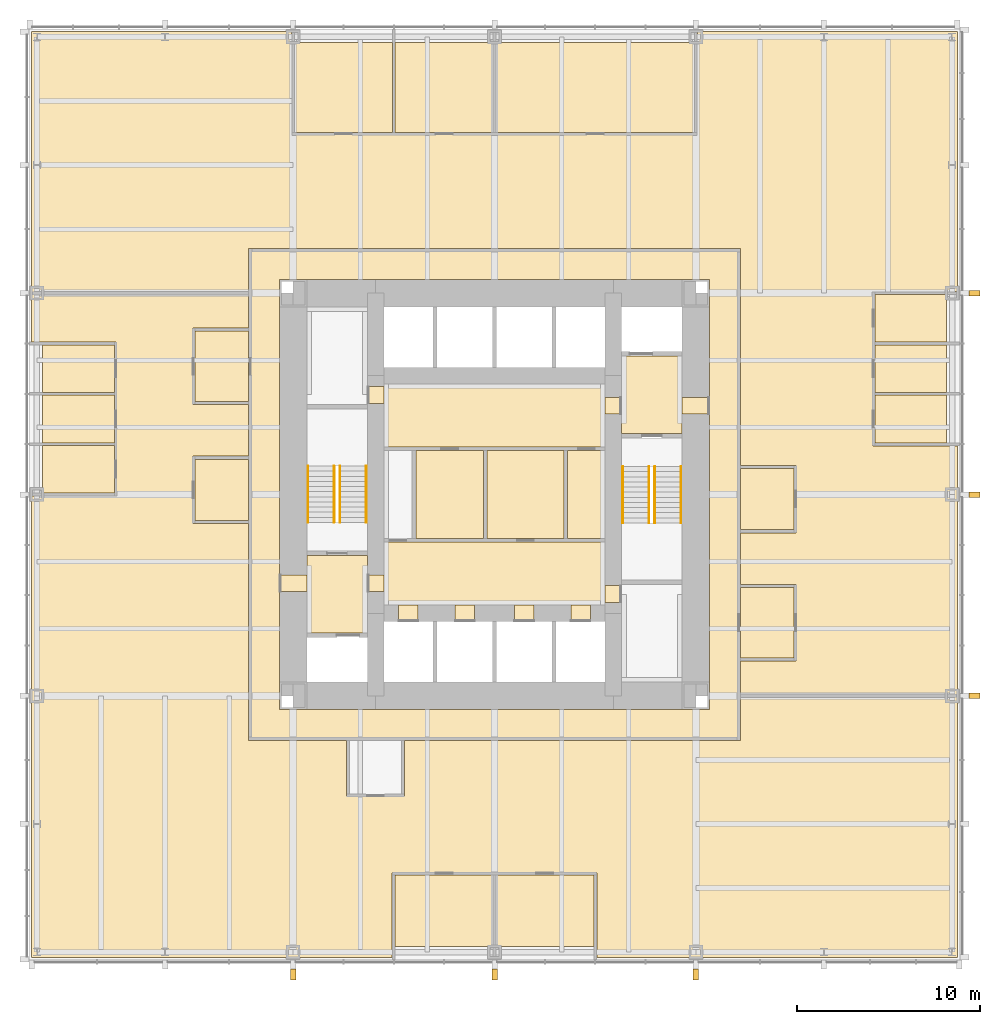
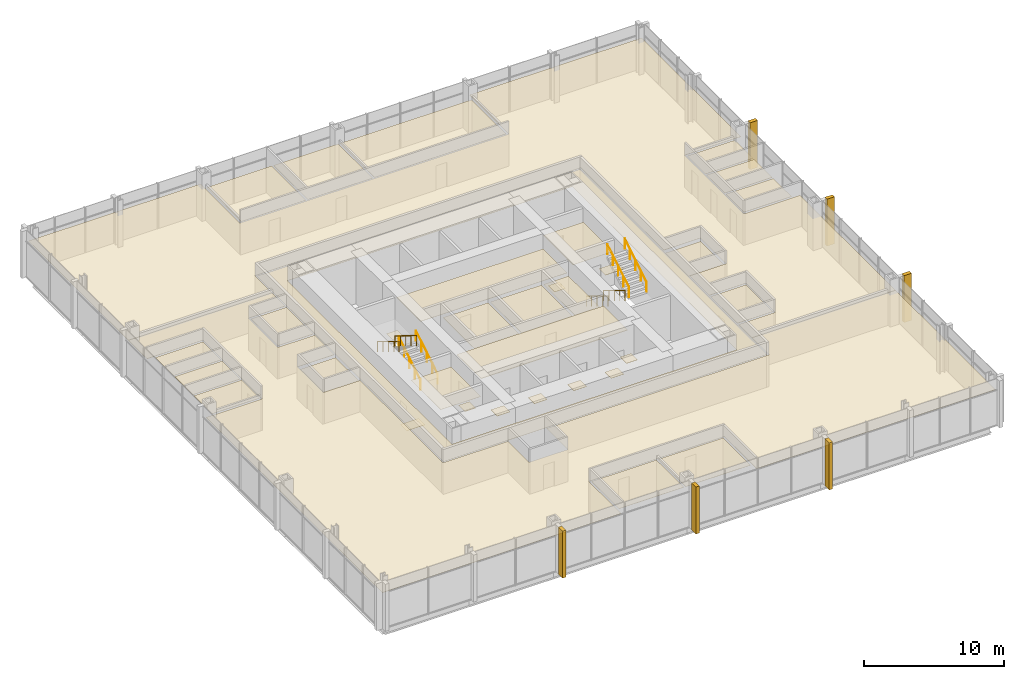
# One storey, part 12 of 12: 41 coverings, 8 railings.
"""IFC4 building model written with IfcOpenShell, lengths in metres."""

from ifc_helpers import new_model, si_unit, direction, frame, origin, origin_2d, place, context, subcontext, project, spatial, polyline, rectangle, circle, outline, extrude, material, layer, layer_set, type_object, element, save


model = new_model("IFC4")

# Units and contexts
model_context = context("Model", 3, precision=1e-05, world=origin(), true_north=direction((0.0, 1.0)))
body_context = subcontext(model_context, "Body", "Model", "MODEL_VIEW")
ifc_project = project(units=[si_unit("LENGTHUNIT", "METRE"), si_unit("AREAUNIT", "SQUARE_METRE"), si_unit("VOLUMEUNIT", "CUBIC_METRE"), si_unit("PLANEANGLEUNIT", "RADIAN"), si_unit("MASSUNIT", "GRAM", prefix="KILO")], contexts=[model_context])

# Site, building, storey
site_placement = place(None, origin())
site = spatial("IfcSite", under=ifc_project, at=site_placement, CompositionType="ELEMENT")
building_placement = place(site_placement, origin())
building = spatial("IfcBuilding", under=site, at=building_placement, Name="Trevanion Tower", CompositionType="ELEMENT")
storey_placement = place(building_placement, frame((0.0, 0.0, 61.10009765625)))
storey = spatial("IfcBuildingStorey", under=building, at=storey_placement, Name="L14", CompositionType="ELEMENT", Elevation=61.10009765625)

# Coverings
ifc_material_1 = material(Name="Fibrous plaster coffers on suspended steel grid", Category="steel")
ifc_layer_1 = layer(ifc_material_1, 0.050048828125)
ifc_layer_set_1 = layer_set([ifc_layer_1], Name="CL1 coffered fibrous plaster ceiling 50")
covering_type_1 = type_object("IfcCoveringType", Name="CL1 coffered fibrous plaster ceiling 50", PredefinedType="CEILING", material=ifc_layer_set_1)
covering_1_placement = place(storey_placement, frame((0.0, 0.0, 3.0)))
element("IfcCovering", 1, at=covering_1_placement, inside=storey, type_object=covering_type_1, Name="CL1 L14-LBS", PredefinedType="CEILING", context=body_context, shape_type="SweptSolid", body=[
    extrude(outline(polyline([(6.050048828125, -6.050048828125), (6.050048828125, -2.60009765625), (-6.050048828125, -2.60009765625), (-6.050048828125, -6.050048828125), (6.050048828125, -6.050048828125)])), origin(), (0.0, 0.0, 1.0), 0.0498046875),
])
ifc_material_2 = material(Name="Mineral fibre acoustic tiles in exposed grid", Category="mineral fibre")
ifc_layer_2 = layer(ifc_material_2, 0.02001953125)
ifc_layer_set_2 = layer_set([ifc_layer_2], Name="CL2 acoustic tile ceiling 20")
covering_type_2 = type_object("IfcCoveringType", Name="CL2 acoustic tile ceiling 20", PredefinedType="CEILING", material=ifc_layer_set_2)
covering_2_placement = place(storey_placement, frame((0.0, 0.0, 2.75)))
element("IfcCovering", 2, at=covering_2_placement, inside=storey, type_object=covering_type_2, Name="CL2 L14-LBN", PredefinedType="CEILING", context=body_context, shape_type="SweptSolid", body=[
    extrude(outline(polyline([(6.050048828125, 2.60009765625), (6.050048828125, 6.050048828125), (-6.050048828125, 6.050048828125), (-6.050048828125, 2.60009765625), (6.050048828125, 2.60009765625)])), origin(), (0.0, 0.0, 1.0), 0.02001953125),
])
covering_3_placement = place(storey_placement, frame((0.0, 0.0, 2.75)))
element("IfcCovering", 3, at=covering_3_placement, inside=storey, type_object=covering_type_2, Name="CL2 L14-CO", PredefinedType="CEILING", context=body_context, shape_type="SweptSolid", body=[
    extrude(outline(polyline([(-13.35009765625, 13.35009765625), (13.35009765625, 13.35009765625), (13.35009765625, -13.35009765625), (-13.35009765625, -13.35009765625), (-13.35009765625, 13.35009765625)]), holes=[polyline([(-11.75, 11.75), (-11.75, -11.75), (11.75, -11.75), (11.75, 11.75), (-11.75, 11.75)])]), origin(), (0.0, 0.0, 1.0), 0.02001953125),
])
covering_4_placement = place(storey_placement, frame((0.0, 0.0, 2.75)))
element("IfcCovering", 4, at=covering_4_placement, inside=storey, type_object=covering_type_2, Name="CL2 L14-BR", PredefinedType="CEILING", context=body_context, shape_type="SweptSolid", body=[
    extrude(outline(polyline([(10.925048828125, 19.77490234375), (0.074951171875, 19.77490234375), (0.074951171875, 24.699951171875), (10.925048828125, 24.699951171875), (10.925048828125, 19.77490234375)])), origin(), (0.0, 0.0, 1.0), 0.02001953125),
])
covering_5_placement = place(storey_placement, frame((0.0, 0.0, 2.75)))
element("IfcCovering", 5, at=covering_5_placement, inside=storey, type_object=covering_type_2, Name="CL2 L14-MR", PredefinedType="CEILING", context=body_context, shape_type="SweptSolid", body=[
    extrude(outline(polyline([(-0.074951171875, 19.77490234375), (-5.425048828125, 19.77490234375), (-5.425048828125, 24.699951171875), (-0.074951171875, 24.699951171875), (-0.074951171875, 19.77490234375)])), origin(), (0.0, 0.0, 1.0), 0.02001953125),
])
covering_6_placement = place(storey_placement, frame((0.0, 0.0, 2.75)))
element("IfcCovering", 6, at=covering_6_placement, inside=storey, type_object=covering_type_2, Name="CL2 L14-MR2", PredefinedType="CEILING", context=body_context, shape_type="SweptSolid", body=[
    extrude(outline(polyline([(-5.574951171875, 19.77490234375), (-10.925048828125, 19.77490234375), (-10.925048828125, 24.699951171875), (-5.574951171875, 24.699951171875), (-5.574951171875, 19.77490234375)])), origin(), (0.0, 0.0, 1.0), 0.02001953125),
])
covering_7_placement = place(storey_placement, frame((0.0, 0.0, 2.75)))
element("IfcCovering", 7, at=covering_7_placement, inside=storey, type_object=covering_type_2, Name="CL2 L14-MR3", PredefinedType="CEILING", context=body_context, shape_type="SweptSolid", body=[
    extrude(outline(polyline([(-5.425048828125, -20.77490234375), (-0.074951171875, -20.77490234375), (-0.074951171875, -24.699951171875), (-5.425048828125, -24.699951171875), (-5.425048828125, -20.77490234375)])), origin(), (0.0, 0.0, 1.0), 0.02001953125),
])
covering_8_placement = place(storey_placement, frame((0.0, 0.0, 2.75)))
element("IfcCovering", 8, at=covering_8_placement, inside=storey, type_object=covering_type_2, Name="CL2 L14-MR4", PredefinedType="CEILING", context=body_context, shape_type="SweptSolid", body=[
    extrude(outline(polyline([(0.074951171875, -20.77490234375), (5.425048828125, -20.77490234375), (5.425048828125, -24.699951171875), (0.074951171875, -24.699951171875), (0.074951171875, -20.77490234375)])), origin(), (0.0, 0.0, 1.0), 0.02001953125),
])
covering_9_placement = place(storey_placement, frame((0.0, 0.0, 2.75)))
element("IfcCovering", 9, at=covering_9_placement, inside=storey, type_object=covering_type_2, Name="CL2 L14-OF", PredefinedType="CEILING", context=body_context, shape_type="SweptSolid", body=[
    extrude(outline(polyline([(20.77490234375, 2.824951171875), (20.77490234375, 5.425048828125), (24.699951171875, 5.425048828125), (24.699951171875, 2.824951171875), (20.77490234375, 2.824951171875)])), origin(), (0.0, 0.0, 1.0), 0.02001953125),
])
covering_10_placement = place(storey_placement, frame((0.0, 0.0, 2.75)))
element("IfcCovering", 10, at=covering_10_placement, inside=storey, type_object=covering_type_2, Name="CL2 L14-OF2", PredefinedType="CEILING", context=body_context, shape_type="SweptSolid", body=[
    extrude(outline(polyline([(20.77490234375, 5.574951171875), (20.77490234375, 8.175048828125), (24.699951171875, 8.175048828125), (24.699951171875, 5.574951171875), (20.77490234375, 5.574951171875)])), origin(), (0.0, 0.0, 1.0), 0.02001953125),
])
covering_11_placement = place(storey_placement, frame((0.0, 0.0, 2.75)))
element("IfcCovering", 11, at=covering_11_placement, inside=storey, type_object=covering_type_2, Name="CL2 L14-OF3", PredefinedType="CEILING", context=body_context, shape_type="SweptSolid", body=[
    extrude(outline(polyline([(20.77490234375, 8.324951171875), (20.77490234375, 10.925048828125), (24.699951171875, 10.925048828125), (24.699951171875, 8.324951171875), (20.77490234375, 8.324951171875)])), origin(), (0.0, 0.0, 1.0), 0.02001953125),
])
covering_12_placement = place(storey_placement, frame((0.0, 0.0, 2.75)))
element("IfcCovering", 12, at=covering_12_placement, inside=storey, type_object=covering_type_2, Name="CL2 L14-OF4", PredefinedType="CEILING", context=body_context, shape_type="SweptSolid", body=[
    extrude(outline(polyline([(-20.77490234375, 8.175048828125), (-20.77490234375, 5.574951171875), (-24.699951171875, 5.574951171875), (-24.699951171875, 8.175048828125), (-20.77490234375, 8.175048828125)])), origin(), (0.0, 0.0, 1.0), 0.02001953125),
])
covering_13_placement = place(storey_placement, frame((0.0, 0.0, 2.75)))
element("IfcCovering", 13, at=covering_13_placement, inside=storey, type_object=covering_type_2, Name="CL2 L14-OF5", PredefinedType="CEILING", context=body_context, shape_type="SweptSolid", body=[
    extrude(outline(polyline([(-20.77490234375, 5.425048828125), (-20.77490234375, 2.824951171875), (-24.699951171875, 2.824951171875), (-24.699951171875, 5.425048828125), (-20.77490234375, 5.425048828125)])), origin(), (0.0, 0.0, 1.0), 0.02001953125),
])
covering_14_placement = place(storey_placement, frame((0.0, 0.0, 2.75)))
element("IfcCovering", 14, at=covering_14_placement, inside=storey, type_object=covering_type_2, Name="CL2 L14-OF6", PredefinedType="CEILING", context=body_context, shape_type="SweptSolid", body=[
    extrude(outline(polyline([(-20.77490234375, 2.675048828125), (-20.77490234375, 0.074951171875), (-24.699951171875, 0.074951171875), (-24.699951171875, 2.675048828125), (-20.77490234375, 2.675048828125)])), origin(), (0.0, 0.0, 1.0), 0.02001953125),
])
covering_15_placement = place(storey_placement, frame((0.0, 0.0, 2.75)))
element("IfcCovering", 15, at=covering_15_placement, inside=storey, type_object=covering_type_2, Name="CL2 L14-RC", PredefinedType="CEILING", context=body_context, shape_type="SweptSolid", body=[
    extrude(outline(polyline([(13.449951171875, -8.925048828125), (13.449951171875, -5.074951171875), (16.375, -5.074951171875), (16.375, -8.925048828125), (13.449951171875, -8.925048828125)])), origin(), (0.0, 0.0, 1.0), 0.02001953125),
])
covering_16_placement = place(storey_placement, frame((0.0, 0.0, 2.75)))
element("IfcCovering", 16, at=covering_16_placement, inside=storey, type_object=covering_type_2, Name="CL2 L14-RC2", PredefinedType="CEILING", context=body_context, shape_type="SweptSolid", body=[
    extrude(outline(polyline([(-13.449951171875, 8.925048828125), (-13.449951171875, 5.074951171875), (-16.375, 5.074951171875), (-16.375, 8.925048828125), (-13.449951171875, 8.925048828125)])), origin(), (0.0, 0.0, 1.0), 0.02001953125),
])
covering_17_placement = place(storey_placement, frame((0.0, 0.0, 2.75)))
element("IfcCovering", 17, at=covering_17_placement, inside=storey, type_object=covering_type_2, Name="CL2 L14-OP", PredefinedType="CEILING", context=body_context, shape_type="SweptSolid", body=[
    extrude(outline(polyline([(13.449951171875, 13.449951171875), (-13.449951171875, 13.449951171875), (-13.449951171875, 11.0), (-25.300048828125, 11.0), (-25.300048828125, 25.300048828125), (-11.094970703125, 25.300048828125), (-11.094970703125, 19.679931640625), (11.094970703125, 19.679931640625), (11.094970703125, 25.300048828125), (25.300048828125, 25.300048828125), (25.300048828125, 11.094970703125), (20.679931640625, 11.094970703125), (20.679931640625, 2.655029296875), (25.300048828125, 2.655029296875), (25.300048828125, -11.0), (13.449951171875, -11.0), (13.449951171875, -9.094970703125), (16.469970703125, -9.094970703125), (16.469970703125, -4.905029296875), (13.449951171875, -4.905029296875), (13.449951171875, -2.094970703125), (16.469970703125, -2.094970703125), (16.469970703125, 1.594970703125), (13.449951171875, 1.594970703125), (13.449951171875, 13.449951171875)])), origin(), (0.0, 0.0, 1.0), 0.02001953125),
])
covering_18_placement = place(storey_placement, frame((0.0, 0.0, 2.75)))
element("IfcCovering", 18, at=covering_18_placement, inside=storey, type_object=covering_type_2, Name="CL2 L14-OP2", PredefinedType="CEILING", context=body_context, shape_type="SweptSolid", body=[
    extrude(outline(polyline([(13.449951171875, -11.0), (25.300048828125, -11.0), (25.300048828125, -25.300048828125), (5.594970703125, -25.300048828125), (5.594970703125, -20.679931640625), (-5.594970703125, -20.679931640625), (-5.594970703125, -25.300048828125), (-25.300048828125, -25.300048828125), (-25.300048828125, -0.094970703125), (-20.679931640625, -0.094970703125), (-20.679931640625, 8.344970703125), (-25.300048828125, 8.344970703125), (-25.300048828125, 11.0), (-13.449951171875, 11.0), (-13.449951171875, 9.094970703125), (-16.469970703125, 9.094970703125), (-16.469970703125, 4.905029296875), (-13.449951171875, 4.905029296875), (-13.449951171875, 2.094970703125), (-16.469970703125, 2.094970703125), (-16.469970703125, -1.594970703125), (-13.449951171875, -1.594970703125), (-13.449951171875, -13.449951171875), (-8.094970703125, -13.449951171875), (-8.094970703125, -16.469970703125), (-4.905029296875, -16.469970703125), (-4.905029296875, -13.449951171875), (13.449951171875, -13.449951171875), (13.449951171875, -11.0)])), origin(), (0.0, 0.0, 1.0), 0.02001953125),
])
ifc_material_3 = material(Name="Gypsum plasterboard on suspended metal furring", Category="gypsum")
ifc_layer_3 = layer(ifc_material_3, 0.012939453125)
ifc_layer_set_3 = layer_set([ifc_layer_3], Name="CL3 plasterboard ceiling 13")
covering_type_3 = type_object("IfcCoveringType", Name="CL3 plasterboard ceiling 13", PredefinedType="CEILING", material=ifc_layer_set_3)
covering_19_placement = place(storey_placement, frame((0.0, 0.0, 2.699951171875)))
element("IfcCovering", 19, at=covering_19_placement, inside=storey, type_object=covering_type_3, Name="CL3 L14-FV1", PredefinedType="CEILING", context=body_context, shape_type="SweptSolid", body=[
    extrude(outline(polyline([(10.25, 3.324951171875), (10.25, 7.574951171875), (6.949951171875, 7.574951171875), (6.949951171875, 3.324951171875), (10.25, 3.324951171875)])), origin(), (0.0, 0.0, 1.0), 0.012939453125),
])
covering_20_placement = place(storey_placement, frame((0.0, 0.0, 2.699951171875)))
element("IfcCovering", 20, at=covering_20_placement, inside=storey, type_object=covering_type_3, Name="CL3 L14-FV2", PredefinedType="CEILING", context=body_context, shape_type="SweptSolid", body=[
    extrude(outline(polyline([(-10.25, -3.324951171875), (-10.25, -7.574951171875), (-6.949951171875, -7.574951171875), (-6.949951171875, -3.324951171875), (-10.25, -3.324951171875)])), origin(), (0.0, 0.0, 1.0), 0.012939453125),
])
ifc_material_4 = material(Name="Moisture-resistant gypsum board on suspended metal furring", Category="gypsum")
ifc_layer_4 = layer(ifc_material_4, 0.01611328125)
ifc_layer_set_4 = layer_set([ifc_layer_4], Name="CL4 moisture-resistant board ceiling 16")
covering_type_4 = type_object("IfcCoveringType", Name="CL4 moisture-resistant board ceiling 16", PredefinedType="CEILING", material=ifc_layer_set_4)
covering_21_placement = place(storey_placement, frame((0.0, 0.0, 2.599853515625)))
element("IfcCovering", 21, at=covering_21_placement, inside=storey, type_object=covering_type_4, Name="CL4 L14-WCM", PredefinedType="CEILING", context=body_context, shape_type="SweptSolid", body=[
    extrude(outline(polyline([(-0.60009765625, -2.39990234375), (-0.60009765625, 2.39990234375), (-4.300048828125, 2.39990234375), (-4.300048828125, -2.39990234375), (-0.60009765625, -2.39990234375)])), origin(), (0.0, 0.0, 1.0), 0.01611328125),
])
covering_22_placement = place(storey_placement, frame((0.0, 0.0, 2.599853515625)))
element("IfcCovering", 22, at=covering_22_placement, inside=storey, type_object=covering_type_4, Name="CL4 L14-WCF", PredefinedType="CEILING", context=body_context, shape_type="SweptSolid", body=[
    extrude(outline(polyline([(3.800048828125, -2.39990234375), (3.800048828125, 2.39990234375), (-0.39990234375, 2.39990234375), (-0.39990234375, -2.39990234375), (3.800048828125, -2.39990234375)])), origin(), (0.0, 0.0, 1.0), 0.01611328125),
])
covering_23_placement = place(storey_placement, frame((0.0, 0.0, 2.599853515625)))
element("IfcCovering", 23, at=covering_23_placement, inside=storey, type_object=covering_type_4, Name="CL4 L14-WCA", PredefinedType="CEILING", context=body_context, shape_type="SweptSolid", body=[
    extrude(outline(polyline([(6.050048828125, -2.39990234375), (6.050048828125, 2.39990234375), (4.0, 2.39990234375), (4.0, -2.39990234375), (6.050048828125, -2.39990234375)])), origin(), (0.0, 0.0, 1.0), 0.01611328125),
])
covering_24_placement = place(storey_placement, frame((0.0, 0.0, 2.599853515625)))
element("IfcCovering", 24, at=covering_24_placement, inside=storey, type_object=covering_type_4, Name="CL4 L14-PA", PredefinedType="CEILING", context=body_context, shape_type="SweptSolid", body=[
    extrude(outline(polyline([(13.449951171875, -1.925048828125), (13.449951171875, 1.425048828125), (16.375, 1.425048828125), (16.375, -1.925048828125), (13.449951171875, -1.925048828125)])), origin(), (0.0, 0.0, 1.0), 0.01611328125),
])
covering_25_placement = place(storey_placement, frame((0.0, 0.0, 2.599853515625)))
element("IfcCovering", 25, at=covering_25_placement, inside=storey, type_object=covering_type_4, Name="CL4 L14-PA2", PredefinedType="CEILING", context=body_context, shape_type="SweptSolid", body=[
    extrude(outline(polyline([(-13.449951171875, 1.925048828125), (-13.449951171875, -1.425048828125), (-16.375, -1.425048828125), (-16.375, 1.925048828125), (-13.449951171875, 1.925048828125)])), origin(), (0.0, 0.0, 1.0), 0.01611328125),
])
ifc_material_5 = material(Name="Cast bronze fin on aluminium carrier", Category="aluminium")
covering_type_5 = type_object("IfcCoveringType", Name="F1 bronze fin", PredefinedType="CLADDING", material=ifc_material_5)
for number, where, z_axis, x_axis, name in (
    (26, (26.22509765625, -11.0, -0.190185546875), (0.0, 0.0, 1.0), (0.0, 1.0, 0.0), "F1 L14 east -11.0"),
    (27, (26.22509765625, 0.0, -0.190185546875), (0.0, 0.0, 1.0), (0.0, 1.0, 0.0), "F1 L14 east +0.0"),
    (28, (26.22509765625, 11.0, -0.190185546875), (0.0, 0.0, 1.0), (0.0, 1.0, 0.0), "F1 L14 east +11.0"),
    (29, (-11.0, -26.22509765625, -0.190185546875), (0.0, 0.0, 1.0), (1.0, 0.0, 0.0), "F1 L14 south -11.0"),
    (30, (0.0, -26.22509765625, -0.190185546875), (0.0, 0.0, 1.0), (1.0, 0.0, 0.0), "F1 L14 south +0.0"),
    (31, (11.0, -26.22509765625, -0.190185546875), (0.0, 0.0, 1.0), (1.0, 0.0, 0.0), "F1 L14 south +11.0"),
):
    element("IfcCovering", number, at=place(storey_placement, frame(where, z_axis=z_axis, x_axis=x_axis)), inside=storey, type_object=covering_type_5, Name=name, PredefinedType="CLADDING", context=body_context, shape_type="SweptSolid", body=[
        extrude(rectangle(XDim=0.300048828125, YDim=0.60009765625, at=origin_2d()), origin(), (0.0, 0.0, 1.0), 4.10009765625),
    ])
ifc_material_6 = material(Name="Terrazzo, brass divider strips", Category="stone")
ifc_layer_5 = layer(ifc_material_6, 0.02001953125)
ifc_layer_set_5 = layer_set([ifc_layer_5], Name="FF1 terrazzo flooring")
covering_type_6 = type_object("IfcCoveringType", Name="FF1 terrazzo flooring", PredefinedType="FLOORING", material=ifc_layer_set_5)
covering_26_placement = place(storey_placement, origin())
element("IfcCovering", 32, at=covering_26_placement, inside=storey, type_object=covering_type_6, Name="FF1 threshold 14-001", PredefinedType="FLOORING", context=body_context, shape_type="SweptSolid", body=[
    extrude(outline(polyline([(11.75, 4.392578125), (11.75, 5.3076171875), (10.25, 5.3076171875), (10.25, 4.392578125), (11.75, 4.392578125)])), origin(), (0.0, 0.0, 1.0), 0.02001953125),
])
covering_27_placement = place(storey_placement, origin())
element("IfcCovering", 33, at=covering_27_placement, inside=storey, type_object=covering_type_6, Name="FF1 threshold 14-002", PredefinedType="FLOORING", context=body_context, shape_type="SweptSolid", body=[
    extrude(outline(polyline([(-11.75, -4.392578125), (-11.75, -5.3076171875), (-10.25, -5.3076171875), (-10.25, -4.392578125), (-11.75, -4.392578125)])), origin(), (0.0, 0.0, 1.0), 0.02001953125),
])
covering_28_placement = place(storey_placement, origin())
element("IfcCovering", 34, at=covering_28_placement, inside=storey, type_object=covering_type_6, Name="FF1 threshold 14-003", PredefinedType="FLOORING", context=body_context, shape_type="SweptSolid", body=[
    extrude(outline(polyline([(6.949951171875, 4.392578125), (6.949951171875, 5.3076171875), (6.050048828125, 5.3076171875), (6.050048828125, 4.392578125), (6.949951171875, 4.392578125)])), origin(), (0.0, 0.0, 1.0), 0.02001953125),
])
covering_29_placement = place(storey_placement, origin())
element("IfcCovering", 35, at=covering_29_placement, inside=storey, type_object=covering_type_6, Name="FF1 threshold 14-004", PredefinedType="FLOORING", context=body_context, shape_type="SweptSolid", body=[
    extrude(outline(polyline([(-6.949951171875, -4.392578125), (-6.949951171875, -5.3076171875), (-6.050048828125, -5.3076171875), (-6.050048828125, -4.392578125), (-6.949951171875, -4.392578125)])), origin(), (0.0, 0.0, 1.0), 0.02001953125),
])
covering_30_placement = place(storey_placement, origin())
element("IfcCovering", 36, at=covering_30_placement, inside=storey, type_object=covering_type_6, Name="FF1 threshold 14-009", PredefinedType="FLOORING", context=body_context, shape_type="SweptSolid", body=[
    extrude(outline(polyline([(6.949951171875, -5.889892578125), (6.949951171875, -4.97509765625), (6.050048828125, -4.97509765625), (6.050048828125, -5.889892578125), (6.949951171875, -5.889892578125)])), origin(), (0.0, 0.0, 1.0), 0.02001953125),
])
covering_31_placement = place(storey_placement, origin())
element("IfcCovering", 37, at=covering_31_placement, inside=storey, type_object=covering_type_6, Name="FF1 threshold 14-010", PredefinedType="FLOORING", context=body_context, shape_type="SweptSolid", body=[
    extrude(outline(polyline([(-6.949951171875, 5.889892578125), (-6.949951171875, 4.97509765625), (-6.050048828125, 4.97509765625), (-6.050048828125, 5.889892578125), (-6.949951171875, 5.889892578125)])), origin(), (0.0, 0.0, 1.0), 0.02001953125),
])
covering_32_placement = place(storey_placement, origin())
element("IfcCovering", 38, at=covering_32_placement, inside=storey, type_object=covering_type_6, Name="FF1 threshold 14-011", PredefinedType="FLOORING", context=body_context, shape_type="SweptSolid", body=[
    extrude(outline(polyline([(-5.2333984375, -6.949951171875), (-4.16650390625, -6.949951171875), (-4.16650390625, -6.050048828125), (-5.2333984375, -6.050048828125), (-5.2333984375, -6.949951171875)])), origin(), (0.0, 0.0, 1.0), 0.02001953125),
])
covering_33_placement = place(storey_placement, origin())
element("IfcCovering", 39, at=covering_33_placement, inside=storey, type_object=covering_type_6, Name="FF1 threshold 14-012", PredefinedType="FLOORING", context=body_context, shape_type="SweptSolid", body=[
    extrude(outline(polyline([(-2.158447265625, -6.949951171875), (-1.091552734375, -6.949951171875), (-1.091552734375, -6.050048828125), (-2.158447265625, -6.050048828125), (-2.158447265625, -6.949951171875)])), origin(), (0.0, 0.0, 1.0), 0.02001953125),
])
covering_34_placement = place(storey_placement, origin())
element("IfcCovering", 40, at=covering_34_placement, inside=storey, type_object=covering_type_6, Name="FF1 threshold 14-013", PredefinedType="FLOORING", context=body_context, shape_type="SweptSolid", body=[
    extrude(outline(polyline([(1.091552734375, -6.949951171875), (2.158447265625, -6.949951171875), (2.158447265625, -6.050048828125), (1.091552734375, -6.050048828125), (1.091552734375, -6.949951171875)])), origin(), (0.0, 0.0, 1.0), 0.02001953125),
])
covering_35_placement = place(storey_placement, origin())
element("IfcCovering", 41, at=covering_35_placement, inside=storey, type_object=covering_type_6, Name="FF1 threshold 14-014", PredefinedType="FLOORING", context=body_context, shape_type="SweptSolid", body=[
    extrude(outline(polyline([(4.16650390625, -6.949951171875), (5.2333984375, -6.949951171875), (5.2333984375, -6.050048828125), (4.16650390625, -6.050048828125), (4.16650390625, -6.949951171875)])), origin(), (0.0, 0.0, 1.0), 0.02001953125),
])

# Railings
ifc_material_7 = material(Name="Stainless steel tube 40 mm", Category="steel")
railing_type = type_object("IfcRailingType", Name="HR1 handrail", PredefinedType="HANDRAIL", material=ifc_material_7)
for number, where, name in (
    (42, (7.010009765625, 1.52490234375, 0.170654296875), "HR1 ST1 L14 flight 1"),
    (43, (8.43994140625, 1.52490234375, 0.170654296875), "HR1 ST1 L14 flight 1"),
):
    element("IfcRailing", number, at=place(storey_placement, frame(where)), inside=storey, type_object=railing_type, Name=name, PredefinedType="HANDRAIL", context=body_context, shape_type="SweptSolid", body=[
        extrude(circle(Radius=0.02001953125, at=origin_2d()), frame((0.0, 0.0, 0.8798828125), z_axis=(0.0, -0.853647949592, 0.520850437417), x_axis=(1.0, 0.0, 0.0)), (0.0, 0.0, 1.0), 3.60791015625),
        extrude(circle(Radius=0.01513671875, at=origin_2d()), origin(), (0.0, 0.0, 1.0), 0.85986328125),
        extrude(circle(Radius=0.01513671875, at=origin_2d()), frame((0.0, -0.77001953125, 0.4697265625)), (0.0, 0.0, 1.0), 0.85986328125),
        extrude(circle(Radius=0.01513671875, at=origin_2d()), frame((0.0, -1.5400390625, 0.939453125)), (0.0, 0.0, 1.0), 0.85986328125),
        extrude(circle(Radius=0.01513671875, at=origin_2d()), frame((0.0, -2.309814453125, 1.409423828125)), (0.0, 0.0, 1.0), 0.85986328125),
        extrude(circle(Radius=0.01513671875, at=origin_2d()), frame((0.0, -3.079833984375, 1.879150390625)), (0.0, 0.0, 1.0), 0.85986328125),
    ])
for number, where, name in (
    (44, (8.760009765625, -1.554931640625, 2.220703125), "HR1 ST1 L14 flight 2"),
    (45, (10.18994140625, -1.554931640625, 2.220703125), "HR1 ST1 L14 flight 2"),
    (46, (-7.010009765625, -1.52490234375, 0.170654296875), "HR1 ST2 L14 flight 1"),
    (47, (-8.43994140625, -1.52490234375, 0.170654296875), "HR1 ST2 L14 flight 1"),
):
    element("IfcRailing", number, at=place(storey_placement, frame(where)), inside=storey, type_object=railing_type, Name=name, PredefinedType="HANDRAIL", context=body_context, shape_type="SweptSolid", body=[
        extrude(circle(Radius=0.02001953125, at=origin_2d()), frame((0.0, 0.0, 0.8798828125), z_axis=(0.0, 0.853647949592, 0.520850437417), x_axis=(-1.0, 0.0, 0.0)), (0.0, 0.0, 1.0), 3.60791015625),
        extrude(circle(Radius=0.01513671875, at=origin_2d()), origin(), (0.0, 0.0, 1.0), 0.85986328125),
        extrude(circle(Radius=0.01513671875, at=origin_2d()), frame((0.0, 0.77001953125, 0.4697265625)), (0.0, 0.0, 1.0), 0.85986328125),
        extrude(circle(Radius=0.01513671875, at=origin_2d()), frame((0.0, 1.5400390625, 0.939453125)), (0.0, 0.0, 1.0), 0.85986328125),
        extrude(circle(Radius=0.01513671875, at=origin_2d()), frame((0.0, 2.309814453125, 1.409423828125)), (0.0, 0.0, 1.0), 0.85986328125),
        extrude(circle(Radius=0.01513671875, at=origin_2d()), frame((0.0, 3.079833984375, 1.879150390625)), (0.0, 0.0, 1.0), 0.85986328125),
    ])
for number, where, name in (
    (48, (-8.760009765625, 1.554931640625, 2.220703125), "HR1 ST2 L14 flight 2"),
    (49, (-10.18994140625, 1.554931640625, 2.220703125), "HR1 ST2 L14 flight 2"),
):
    element("IfcRailing", number, at=place(storey_placement, frame(where)), inside=storey, type_object=railing_type, Name=name, PredefinedType="HANDRAIL", context=body_context, shape_type="SweptSolid", body=[
        extrude(circle(Radius=0.02001953125, at=origin_2d()), frame((0.0, 0.0, 0.8798828125), z_axis=(0.0, -0.853647949592, 0.520850437417), x_axis=(1.0, 0.0, 0.0)), (0.0, 0.0, 1.0), 3.60791015625),
        extrude(circle(Radius=0.01513671875, at=origin_2d()), origin(), (0.0, 0.0, 1.0), 0.85986328125),
        extrude(circle(Radius=0.01513671875, at=origin_2d()), frame((0.0, -0.77001953125, 0.4697265625)), (0.0, 0.0, 1.0), 0.85986328125),
        extrude(circle(Radius=0.01513671875, at=origin_2d()), frame((0.0, -1.5400390625, 0.939453125)), (0.0, 0.0, 1.0), 0.85986328125),
        extrude(circle(Radius=0.01513671875, at=origin_2d()), frame((0.0, -2.309814453125, 1.409423828125)), (0.0, 0.0, 1.0), 0.85986328125),
        extrude(circle(Radius=0.01513671875, at=origin_2d()), frame((0.0, -3.079833984375, 1.879150390625)), (0.0, 0.0, 1.0), 0.85986328125),
    ])

save(model, "model.ifc")
